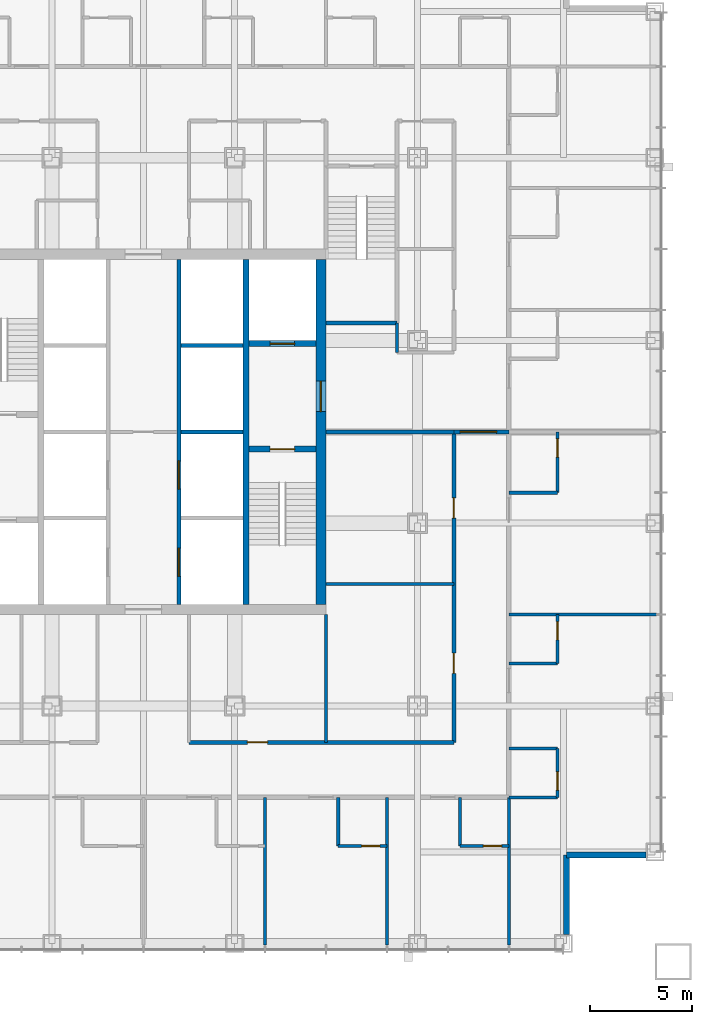
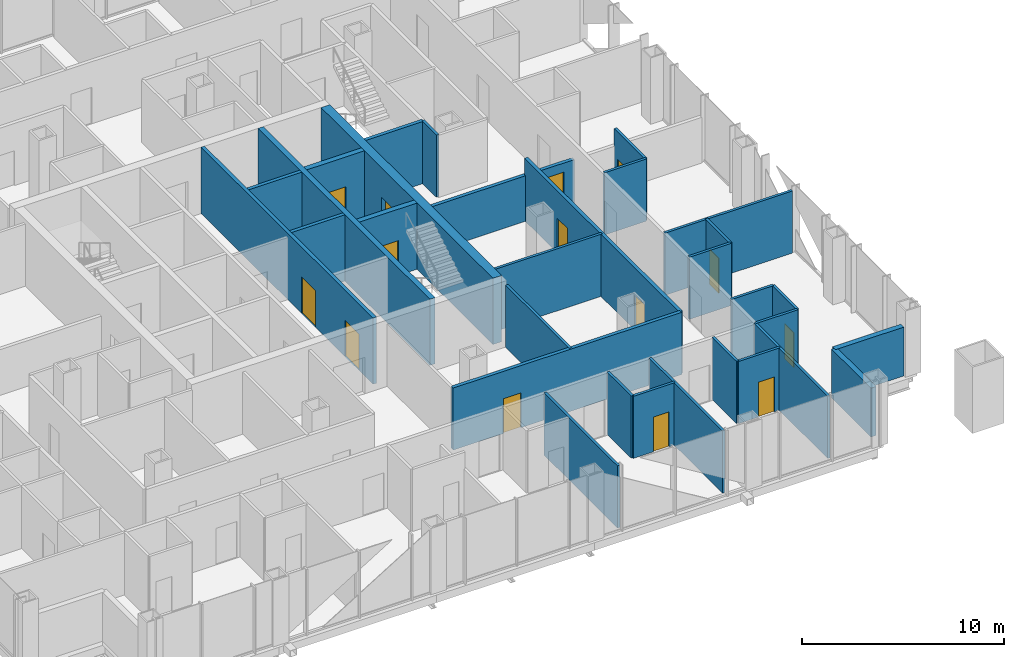
# One storey, part 9 of 14: 32 walls, 14 doors, 14 openings.
"""IFC4 building model written with IfcOpenShell, lengths in metres."""

from ifc_helpers import new_model, si_unit, direction, frame, frame_2d, origin, place, context, subcontext, project, spatial, rectangle, extrude, material, layer, layer_set, type_object, element, fill, save


model = new_model("IFC4")

# Units and contexts
model_context = context("Model", 3, precision=1e-05, world=origin(), true_north=direction((0.0, 1.0)))
body_context = subcontext(model_context, "Body", "Model", "MODEL_VIEW")
ifc_project = project(units=[si_unit("LENGTHUNIT", "METRE"), si_unit("AREAUNIT", "SQUARE_METRE"), si_unit("VOLUMEUNIT", "CUBIC_METRE"), si_unit("PLANEANGLEUNIT", "RADIAN"), si_unit("MASSUNIT", "GRAM", prefix="KILO")], contexts=[model_context])

# Site, building, storey
site_placement = place(None, origin())
site = spatial("IfcSite", under=ifc_project, at=site_placement, CompositionType="ELEMENT")
building_placement = place(site_placement, origin())
building = spatial("IfcBuilding", under=site, at=building_placement, Name="Malebo Sky Hospital", CompositionType="ELEMENT")
storey_placement = place(building_placement, frame((0.0, 0.0, 71.0)))
storey = spatial("IfcBuildingStorey", under=building, at=storey_placement, Name="L16", CompositionType="ELEMENT", Elevation=71.0)

# Wall, openings, doors
ifc_material_1 = material(Name="Concrete C80/95", Category="concrete")
ifc_layer_1 = layer(ifc_material_1, 0.199951171875)
ifc_layer_set_1 = layer_set([ifc_layer_1], Name="CORE INNER WALL 200")
wall_type_1 = type_object("IfcWallType", Name="CORE INNER WALL 200", PredefinedType="SHEAR", material=ifc_layer_set_1)
wall_1_placement = place(storey_placement, frame((61.75, 53.5, 0.0), z_axis=(0.0, 0.0, 1.0), x_axis=(0.0, 1.0, 0.0)))
wall_1 = element("IfcWall", 1, at=wall_1_placement, inside=storey, type_object=wall_type_1, Name="Core wall LE L16", PredefinedType="SHEAR", context=body_context, shape_type="SweptSolid", body=[
    extrude(rectangle(XDim=17.0, YDim=0.199951171875, at=frame_2d((8.5, 0.0))), origin(), (0.0, 0.0, 1.0), 4.0),
])
opening_1_placement = place(wall_1_placement, frame((1.375, 0.0, 0.0)))
opening_1 = element("IfcOpeningElement", 2, at=opening_1_placement, cuts=wall_1, Name="Opening LD1", PredefinedType="OPENING", context=body_context, shape_type="SweptSolid", body=[
    extrude(rectangle(XDim=1.39990234375, YDim=2.199951171875, at=frame_2d((0.699951171875, 1.10009765625))), frame((0.0, 0.10986328125, 0.0), z_axis=(0.0, -1.0, 0.0), x_axis=(1.0, 0.0, 0.0)), (0.0, 0.0, 1.0), 0.219970703125),
])
opening_2_placement = place(wall_1_placement, frame((5.675048828125, 0.0, 0.0)))
opening_2 = element("IfcOpeningElement", 3, at=opening_2_placement, cuts=wall_1, Name="Opening LD1", PredefinedType="OPENING", context=body_context, shape_type="SweptSolid", body=[
    extrude(rectangle(XDim=1.39990234375, YDim=2.199951171875, at=frame_2d((0.699951171875, 1.10009765625))), frame((0.0, 0.10986328125, 0.0), z_axis=(0.0, -1.0, 0.0), x_axis=(1.0, 0.0, 0.0)), (0.0, 0.0, 1.0), 0.219970703125),
])
ifc_material_2 = material(Name="Stainless steel sliding landing door", Category="steel")
door_type_1 = type_object("IfcDoorType", Name="LIFT LANDING DOOR 1400", OperationType="SLIDING_TO_LEFT", PredefinedType="DOOR", material=ifc_material_2)
door_1_placement = place(opening_1_placement, origin())
door_1 = element("IfcDoor", 4, at=door_1_placement, inside=storey, type_object=door_type_1, Name="Lift E1 landing door", OperationType="SLIDING_TO_LEFT", OverallHeight=2.199951171875, OverallWidth=1.39990234375, PredefinedType="DOOR", context=body_context, shape_type="SweptSolid", body=[
    extrude(rectangle(XDim=1.39990234375, YDim=2.199951171875, at=frame_2d((0.699951171875, 1.10009765625))), frame((0.0, 0.02490234375, 0.0), z_axis=(0.0, -1.0, 0.0), x_axis=(1.0, 0.0, 0.0)), (0.0, 0.0, 1.0), 0.050048828125),
])
fill(opening_1, door_1)
door_2_placement = place(opening_2_placement, origin())
door_2 = element("IfcDoor", 5, at=door_2_placement, inside=storey, type_object=door_type_1, Name="Lift E2 landing door", OperationType="SLIDING_TO_LEFT", OverallHeight=2.199951171875, OverallWidth=1.39990234375, PredefinedType="DOOR", context=body_context, shape_type="SweptSolid", body=[
    extrude(rectangle(XDim=1.39990234375, YDim=2.199951171875, at=frame_2d((0.699951171875, 1.10009765625))), frame((0.0, 0.02490234375, 0.0), z_axis=(0.0, -1.0, 0.0), x_axis=(1.0, 0.0, 0.0)), (0.0, 0.0, 1.0), 0.050048828125),
])
fill(opening_2, door_2)

# Walls
for number, where, z_axis, x_axis, name in (
    (6, (61.85009765625, 62.0, 0.0), (0.0, 0.0, 1.0), (1.0, 0.0, 0.0), "Core wall SE1 L16"),
    (7, (61.85009765625, 66.25, 0.0), (0.0, 0.0, 1.0), (1.0, 0.0, 0.0), "Core wall SE2 L16"),
):
    element("IfcWall", number, at=place(storey_placement, frame(where, z_axis=z_axis, x_axis=x_axis)), inside=storey, type_object=wall_type_1, Name=name, PredefinedType="SHEAR", context=body_context, shape_type="SweptSolid", body=[
        extrude(rectangle(XDim=3.0498046875, YDim=0.199951171875, at=frame_2d((1.52490234375, 0.0))), origin(), (0.0, 0.0, 1.0), 4.0),
    ])
ifc_layer_2 = layer(ifc_material_1, 0.300048828125)
ifc_layer_set_2 = layer_set([ifc_layer_2], Name="CORE INNER WALL 300")
wall_type_2 = type_object("IfcWallType", Name="CORE INNER WALL 300", PredefinedType="SHEAR", material=ifc_layer_set_2)
wall_2_placement = place(storey_placement, frame((65.050048828125, 53.5, 0.0), z_axis=(0.0, 0.0, 1.0), x_axis=(0.0, 1.0, 0.0)))
element("IfcWall", 8, at=wall_2_placement, inside=storey, type_object=wall_type_2, Name="Core wall XE L16", PredefinedType="SHEAR", context=body_context, shape_type="SweptSolid", body=[
    extrude(rectangle(XDim=17.0, YDim=0.300048828125, at=frame_2d((8.5, 0.0))), origin(), (0.0, 0.0, 1.0), 4.0),
])

# Wall, opening, door
wall_3_placement = place(storey_placement, frame((65.199951171875, 61.14990234375, 0.0), z_axis=(0.0, 0.0, 1.0), x_axis=(1.0, 0.0, 0.0)))
wall_3 = element("IfcWall", 9, at=wall_3_placement, inside=storey, type_object=wall_type_2, Name="Core wall E1 L16", PredefinedType="SHEAR", context=body_context, shape_type="SweptSolid", body=[
    extrude(rectangle(XDim=3.300048828125, YDim=0.300048828125, at=frame_2d((1.64990234375, 0.0))), origin(), (0.0, 0.0, 1.0), 4.0),
])
opening_3_placement = place(wall_3_placement, frame((1.050048828125, 0.0, 0.0)))
opening_3 = element("IfcOpeningElement", 10, at=opening_3_placement, cuts=wall_3, Name="Opening D08", PredefinedType="OPENING", context=body_context, shape_type="SweptSolid", body=[
    extrude(rectangle(XDim=1.199951171875, YDim=2.10009765625, at=frame_2d((0.60009765625, 1.050048828125))), frame((0.0, 0.159912109375, 0.0), z_axis=(0.0, -1.0, 0.0), x_axis=(1.0, 0.0, 0.0)), (0.0, 0.0, 1.0), 0.320068359375),
])
ifc_material_3 = material(Name="Hardwood-faced door leaf in steel frame", Category="steel")
door_type_2 = type_object("IfcDoorType", Name="STAIR DOOR 1200", OperationType="SINGLE_SWING_LEFT", PredefinedType="DOOR", material=ifc_material_3)
door_3_placement = place(opening_3_placement, origin())
door_3 = element("IfcDoor", 11, at=door_3_placement, inside=storey, type_object=door_type_2, Name="Stair S2 door", OperationType="SINGLE_SWING_LEFT", OverallHeight=2.10009765625, OverallWidth=1.199951171875, PredefinedType="DOOR", context=body_context, shape_type="SweptSolid", body=[
    extrude(rectangle(XDim=1.199951171875, YDim=2.10009765625, at=frame_2d((0.60009765625, 1.050048828125))), frame((0.0, 0.02490234375, 0.0), z_axis=(0.0, -1.0, 0.0), x_axis=(1.0, 0.0, 0.0)), (0.0, 0.0, 1.0), 0.050048828125),
])
fill(opening_3, door_3)

wall_4_placement = place(storey_placement, frame((65.199951171875, 66.35009765625, 0.0), z_axis=(0.0, 0.0, 1.0), x_axis=(1.0, 0.0, 0.0)))
wall_4 = element("IfcWall", 12, at=wall_4_placement, inside=storey, type_object=wall_type_2, Name="Core wall E2 L16", PredefinedType="SHEAR", context=body_context, shape_type="SweptSolid", body=[
    extrude(rectangle(XDim=3.300048828125, YDim=0.300048828125, at=frame_2d((1.64990234375, 0.0))), origin(), (0.0, 0.0, 1.0), 4.0),
])
opening_4_placement = place(wall_4_placement, frame((1.050048828125, 0.0, 0.0)))
opening_4 = element("IfcOpeningElement", 13, at=opening_4_placement, cuts=wall_4, Name="Opening LD2", PredefinedType="OPENING", context=body_context, shape_type="SweptSolid", body=[
    extrude(rectangle(XDim=1.199951171875, YDim=2.199951171875, at=frame_2d((0.60009765625, 1.10009765625))), frame((0.0, 0.159912109375, 0.0), z_axis=(0.0, -1.0, 0.0), x_axis=(1.0, 0.0, 0.0)), (0.0, 0.0, 1.0), 0.320068359375),
])
door_type_3 = type_object("IfcDoorType", Name="FIRE-FIGHTING LIFT LANDING DOOR 1200", OperationType="SLIDING_TO_LEFT", PredefinedType="DOOR", material=ifc_material_2)
door_4_placement = place(opening_4_placement, origin())
door_4 = element("IfcDoor", 14, at=door_4_placement, inside=storey, type_object=door_type_3, Name="Lift FL2 landing door", OperationType="SLIDING_TO_LEFT", OverallHeight=2.199951171875, OverallWidth=1.199951171875, PredefinedType="DOOR", context=body_context, shape_type="SweptSolid", body=[
    extrude(rectangle(XDim=1.199951171875, YDim=2.199951171875, at=frame_2d((0.60009765625, 1.10009765625))), frame((0.0, 0.02490234375, 0.0), z_axis=(0.0, -1.0, 0.0), x_axis=(1.0, 0.0, 0.0)), (0.0, 0.0, 1.0), 0.050048828125),
])
fill(opening_4, door_4)

ifc_layer_3 = layer(ifc_material_1, 0.5)
ifc_layer_set_3 = layer_set([ifc_layer_3], Name="CORE WALL 500")
wall_type_3 = type_object("IfcWallType", Name="CORE WALL 500", PredefinedType="SHEAR", material=ifc_layer_set_3)
wall_5_placement = place(storey_placement, frame((68.75, 53.5, 0.0), z_axis=(0.0, 0.0, 1.0), x_axis=(0.0, 1.0, 0.0)))
wall_5 = element("IfcWall", 15, at=wall_5_placement, inside=storey, type_object=wall_type_3, Name="Core wall E L16", PredefinedType="SHEAR", context=body_context, shape_type="SweptSolid", body=[
    extrude(rectangle(XDim=17.0, YDim=0.5, at=frame_2d((8.5, 0.0))), origin(), (0.0, 0.0, 1.0), 4.0),
])
opening_5_placement = place(wall_5_placement, frame((9.5, 0.0, 0.0)))
opening_5 = element("IfcOpeningElement", 16, at=opening_5_placement, cuts=wall_5, Name="Opening D07", PredefinedType="OPENING", context=body_context, shape_type="SweptSolid", body=[
    extrude(rectangle(XDim=1.5, YDim=2.199951171875, at=frame_2d((0.75, 1.10009765625))), frame((0.0, 0.260009765625, 0.0), z_axis=(0.0, -1.0, 0.0), x_axis=(1.0, 0.0, 0.0)), (0.0, 0.0, 1.0), 0.52001953125),
])
door_type_4 = type_object("IfcDoorType", Name="FIRE-FIGHTING LOBBY DOOR PAIR 1500", OperationType="DOUBLE_DOOR_SINGLE_SWING", PredefinedType="DOOR", material=ifc_material_3)
door_5_placement = place(opening_5_placement, origin())
door_5 = element("IfcDoor", 17, at=door_5_placement, inside=storey, type_object=door_type_4, Name="Fire-fighting lobby door east", OperationType="DOUBLE_DOOR_SINGLE_SWING", OverallHeight=2.199951171875, OverallWidth=1.5, PredefinedType="DOOR", context=body_context, shape_type="SweptSolid", body=[
    extrude(rectangle(XDim=1.5, YDim=2.199951171875, at=frame_2d((0.75, 1.10009765625))), frame((0.0, 0.02490234375, 0.0), z_axis=(0.0, -1.0, 0.0), x_axis=(1.0, 0.0, 0.0)), (0.0, 0.0, 1.0), 0.050048828125),
])
fill(opening_5, door_5)

ifc_material_4 = material(Name="Gypsum board on steel studs", Category="steel")
ifc_layer_4 = layer(ifc_material_4, 0.199951171875)
ifc_layer_set_4 = layer_set([ifc_layer_4], Name="CORRIDOR WALL 200")
wall_type_4 = type_object("IfcWallType", Name="CORRIDOR WALL 200", PredefinedType="PARTITIONING", material=ifc_layer_set_4)
wall_6_placement = place(storey_placement, frame((75.300048828125, 46.699951171875, 0.0), z_axis=(0.0, 0.0, 1.0), x_axis=(-1.0, 0.0, 0.0)))
wall_6 = element("IfcWall", 18, at=wall_6_placement, inside=storey, type_object=wall_type_4, Name="Corridor Wall 200 SCI1", PredefinedType="PARTITIONING", context=body_context, shape_type="SweptSolid", body=[
    extrude(rectangle(XDim=13.050048828125, YDim=0.199951171875, at=frame_2d((6.52490234375, 0.0))), origin(), (0.0, 0.0, 1.0), 3.75),
])
opening_6_placement = place(wall_6_placement, frame((9.175048828125, 0.0, 0.0)))
opening_6 = element("IfcOpeningElement", 19, at=opening_6_placement, cuts=wall_6, Name="Opening D03", PredefinedType="OPENING", context=body_context, shape_type="SweptSolid", body=[
    extrude(rectangle(XDim=1.0, YDim=2.10009765625, at=frame_2d((0.5, 1.050048828125))), frame((0.0, 0.10986328125, 0.0), z_axis=(0.0, -1.0, 0.0), x_axis=(1.0, 0.0, 0.0)), (0.0, 0.0, 1.0), 0.219970703125),
])
door_type_5 = type_object("IfcDoorType", Name="ROOM DOOR 1000", OperationType="SINGLE_SWING_LEFT", PredefinedType="DOOR", material=ifc_material_3)
door_6_placement = place(opening_6_placement, origin())
door_6 = element("IfcDoor", 20, at=door_6_placement, inside=storey, type_object=door_type_5, Name="Physiotherapy assessment room door", OperationType="SINGLE_SWING_LEFT", OverallHeight=2.10009765625, OverallWidth=1.0, PredefinedType="DOOR", context=body_context, shape_type="SweptSolid", body=[
    extrude(rectangle(XDim=1.0, YDim=2.10009765625, at=frame_2d((0.5, 1.050048828125))), frame((0.0, 0.02490234375, 0.0), z_axis=(0.0, -1.0, 0.0), x_axis=(1.0, 0.0, 0.0)), (0.0, 0.0, 1.0), 0.050048828125),
])
fill(opening_6, door_6)

# Wall, openings, doors
wall_7_placement = place(storey_placement, frame((75.300048828125, 62.0, 0.0), z_axis=(0.0, 0.0, 1.0), x_axis=(0.0, -1.0, 0.0)))
wall_7 = element("IfcWall", 21, at=wall_7_placement, inside=storey, type_object=wall_type_4, Name="Corridor Wall 200 ECI2", PredefinedType="PARTITIONING", context=body_context, shape_type="SweptSolid", body=[
    extrude(rectangle(XDim=15.300048828125, YDim=0.199951171875, at=frame_2d((7.64990234375, 0.0))), origin(), (0.0, 0.0, 1.0), 3.75),
])
opening_7_placement = place(wall_7_placement, frame((3.25, 0.0, 0.0)))
opening_7 = element("IfcOpeningElement", 22, at=opening_7_placement, cuts=wall_7, Name="Opening D03", PredefinedType="OPENING", context=body_context, shape_type="SweptSolid", body=[
    extrude(rectangle(XDim=1.0, YDim=2.10009765625, at=frame_2d((0.5, 1.050048828125))), frame((0.0, 0.10986328125, 0.0), z_axis=(0.0, -1.0, 0.0), x_axis=(1.0, 0.0, 0.0)), (0.0, 0.0, 1.0), 0.219970703125),
])
opening_8_placement = place(wall_7_placement, frame((10.89990234375, 0.0, 0.0)))
opening_8 = element("IfcOpeningElement", 23, at=opening_8_placement, cuts=wall_7, Name="Opening D03", PredefinedType="OPENING", context=body_context, shape_type="SweptSolid", body=[
    extrude(rectangle(XDim=1.0, YDim=2.10009765625, at=frame_2d((0.5, 1.050048828125))), frame((0.0, 0.10986328125, 0.0), z_axis=(0.0, -1.0, 0.0), x_axis=(1.0, 0.0, 0.0)), (0.0, 0.0, 1.0), 0.219970703125),
])
door_7_placement = place(opening_7_placement, origin())
door_7 = element("IfcDoor", 24, at=door_7_placement, inside=storey, type_object=door_type_5, Name="Treatment room door", OperationType="SINGLE_SWING_LEFT", OverallHeight=2.10009765625, OverallWidth=1.0, PredefinedType="DOOR", context=body_context, shape_type="SweptSolid", body=[
    extrude(rectangle(XDim=1.0, YDim=2.10009765625, at=frame_2d((0.5, 1.050048828125))), frame((0.0, 0.02490234375, 0.0), z_axis=(0.0, -1.0, 0.0), x_axis=(1.0, 0.0, 0.0)), (0.0, 0.0, 1.0), 0.050048828125),
])
fill(opening_7, door_7)
door_8_placement = place(opening_8_placement, origin())
door_8 = element("IfcDoor", 25, at=door_8_placement, inside=storey, type_object=door_type_5, Name="Nurse station door", OperationType="SINGLE_SWING_RIGHT", OverallHeight=2.10009765625, OverallWidth=1.0, PredefinedType="DOOR", context=body_context, shape_type="SweptSolid", body=[
    extrude(rectangle(XDim=1.0, YDim=2.10009765625, at=frame_2d((0.5, 1.050048828125))), frame((0.0, 0.02490234375, 0.0), z_axis=(0.0, -1.0, 0.0), x_axis=(1.0, 0.0, 0.0)), (0.0, 0.0, 1.0), 0.050048828125),
])
fill(opening_8, door_8)

# Walls
ifc_material_5 = material(Name="Anodised aluminium rainscreen on steel framing", Category="steel")
ifc_layer_5 = layer(ifc_material_5, 0.300048828125)
ifc_layer_set_5 = layer_set([ifc_layer_5], Name="NOTCH RAINSCREEN WALL 300")
wall_type_5 = type_object("IfcWallType", Name="NOTCH RAINSCREEN WALL 300", PredefinedType="ELEMENTEDWALL", material=ifc_layer_set_5)
for number, where, z_axis, x_axis, name in (
    (26, (84.75, 41.14990234375, 0.0), (0.0, 0.0, 1.0), (-1.0, 0.0, 0.0), "Notch rainscreen wall E1 L16"),
    (27, (80.85009765625, 41.14990234375, 0.0), (0.0, 0.0, 1.0), (0.0, -1.0, 0.0), "Notch rainscreen wall E2 L16"),
):
    element("IfcWall", number, at=place(storey_placement, frame(where, z_axis=z_axis, x_axis=x_axis)), inside=storey, type_object=wall_type_5, Name=name, PredefinedType="ELEMENTEDWALL", context=body_context, shape_type="SweptSolid", body=[
        extrude(rectangle(XDim=3.89990234375, YDim=0.300048828125, at=frame_2d((1.949951171875, 0.0))), origin(), (0.0, 0.0, 1.0), 2.949951171875),
    ])
ifc_layer_6 = layer(ifc_material_4, 0.14990234375)
ifc_layer_set_6 = layer_set([ifc_layer_6], Name="PARTITION 150")
wall_type_6 = type_object("IfcWallType", Name="PARTITION 150", PredefinedType="PARTITIONING", material=ifc_layer_set_6)
for number, where, z_axis, x_axis, name in (
    (28, (72.0, 44.0, 0.0), (0.0, 0.0, 1.0), (0.0, -1.0, 0.0), "Partition 150 SP-12.0"),
    (29, (66.0, 44.0, 0.0), (0.0, 0.0, 1.0), (0.0, -1.0, 0.0), "Partition 150 SP-6.0"),
    (30, (78.0, 44.0, 0.0), (0.0, 0.0, 1.0), (0.0, -1.0, 0.0), "Partition 150 SP0"),
):
    element("IfcWall", number, at=place(storey_placement, frame(where, z_axis=z_axis, x_axis=x_axis)), inside=storey, type_object=wall_type_6, Name=name, PredefinedType="PARTITIONING", context=body_context, shape_type="SweptSolid", body=[
        extrude(rectangle(XDim=7.27490234375, YDim=0.14990234375, at=frame_2d((3.637451171875, 0.0))), origin(), (0.0, 0.0, 1.0), 3.75),
    ])

# Wall, opening, door
wall_8_placement = place(storey_placement, frame((78.0, 41.60009765625, 0.0), z_axis=(0.0, 0.0, 1.0), x_axis=(-1.0, 0.0, 0.0)))
wall_8 = element("IfcWall", 31, at=wall_8_placement, inside=storey, type_object=wall_type_6, Name="Partition 150 SE0F", PredefinedType="PARTITIONING", context=body_context, shape_type="SweptSolid", body=[
    extrude(rectangle(XDim=2.39990234375, YDim=0.14990234375, at=frame_2d((1.199951171875, 0.0))), origin(), (0.0, 0.0, 1.0), 3.75),
])
opening_9_placement = place(wall_8_placement, frame((0.35009765625, 0.0, 0.0)))
opening_9 = element("IfcOpeningElement", 32, at=opening_9_placement, cuts=wall_8, Name="Opening D02", PredefinedType="OPENING", context=body_context, shape_type="SweptSolid", body=[
    extrude(rectangle(XDim=0.89990234375, YDim=2.10009765625, at=frame_2d((0.449951171875, 1.050048828125))), frame((0.0, 0.0849609375, 0.0), z_axis=(0.0, -1.0, 0.0), x_axis=(1.0, 0.0, 0.0)), (0.0, 0.0, 1.0), 0.169921875),
])
door_type_6 = type_object("IfcDoorType", Name="EN-SUITE DOOR 900", OperationType="SINGLE_SWING_LEFT", PredefinedType="DOOR", material=ifc_material_3)
door_9_placement = place(opening_9_placement, origin())
door_9 = element("IfcDoor", 33, at=door_9_placement, inside=storey, type_object=door_type_6, Name="En-suite door", OperationType="SINGLE_SWING_LEFT", OverallHeight=2.10009765625, OverallWidth=0.89990234375, PredefinedType="DOOR", context=body_context, shape_type="SweptSolid", body=[
    extrude(rectangle(XDim=0.89990234375, YDim=2.10009765625, at=frame_2d((0.449951171875, 1.050048828125))), frame((0.0, 0.02490234375, 0.0), z_axis=(0.0, -1.0, 0.0), x_axis=(1.0, 0.0, 0.0)), (0.0, 0.0, 1.0), 0.050048828125),
])
fill(opening_9, door_9)

# Wall
wall_9_placement = place(storey_placement, frame((75.60009765625, 44.0, 0.0), z_axis=(0.0, 0.0, 1.0), x_axis=(0.0, -1.0, 0.0)))
element("IfcWall", 34, at=wall_9_placement, inside=storey, type_object=wall_type_6, Name="Partition 150 SE0S", PredefinedType="PARTITIONING", context=body_context, shape_type="SweptSolid", body=[
    extrude(rectangle(XDim=2.39990234375, YDim=0.14990234375, at=frame_2d((1.199951171875, 0.0))), origin(), (0.0, 0.0, 1.0), 3.75),
])

# Wall, opening, door
wall_10_placement = place(storey_placement, frame((72.0, 41.60009765625, 0.0), z_axis=(0.0, 0.0, 1.0), x_axis=(-1.0, 0.0, 0.0)))
wall_10 = element("IfcWall", 35, at=wall_10_placement, inside=storey, type_object=wall_type_6, Name="Partition 150 SE1F", PredefinedType="PARTITIONING", context=body_context, shape_type="SweptSolid", body=[
    extrude(rectangle(XDim=2.39990234375, YDim=0.14990234375, at=frame_2d((1.199951171875, 0.0))), origin(), (0.0, 0.0, 1.0), 3.75),
])
opening_10_placement = place(wall_10_placement, frame((0.35009765625, 0.0, 0.0)))
opening_10 = element("IfcOpeningElement", 36, at=opening_10_placement, cuts=wall_10, Name="Opening D02", PredefinedType="OPENING", context=body_context, shape_type="SweptSolid", body=[
    extrude(rectangle(XDim=0.89990234375, YDim=2.10009765625, at=frame_2d((0.449951171875, 1.050048828125))), frame((0.0, 0.0849609375, 0.0), z_axis=(0.0, -1.0, 0.0), x_axis=(1.0, 0.0, 0.0)), (0.0, 0.0, 1.0), 0.169921875),
])
door_10_placement = place(opening_10_placement, origin())
door_10 = element("IfcDoor", 37, at=door_10_placement, inside=storey, type_object=door_type_6, Name="En-suite door", OperationType="SINGLE_SWING_LEFT", OverallHeight=2.10009765625, OverallWidth=0.89990234375, PredefinedType="DOOR", context=body_context, shape_type="SweptSolid", body=[
    extrude(rectangle(XDim=0.89990234375, YDim=2.10009765625, at=frame_2d((0.449951171875, 1.050048828125))), frame((0.0, 0.02490234375, 0.0), z_axis=(0.0, -1.0, 0.0), x_axis=(1.0, 0.0, 0.0)), (0.0, 0.0, 1.0), 0.050048828125),
])
fill(opening_10, door_10)

# Walls
wall_11_placement = place(storey_placement, frame((69.60009765625, 44.0, 0.0), z_axis=(0.0, 0.0, 1.0), x_axis=(0.0, -1.0, 0.0)))
element("IfcWall", 38, at=wall_11_placement, inside=storey, type_object=wall_type_6, Name="Partition 150 SE1S", PredefinedType="PARTITIONING", context=body_context, shape_type="SweptSolid", body=[
    extrude(rectangle(XDim=2.39990234375, YDim=0.14990234375, at=frame_2d((1.199951171875, 0.0))), origin(), (0.0, 0.0, 1.0), 3.75),
])
wall_12_placement = place(storey_placement, frame((69.0, 53.0, 0.0), z_axis=(0.0, 0.0, 1.0), x_axis=(0.0, -1.0, 0.0)))
element("IfcWall", 39, at=wall_12_placement, inside=storey, type_object=wall_type_6, Name="Partition 150 SSP0", PredefinedType="PARTITIONING", context=body_context, shape_type="SweptSolid", body=[
    extrude(rectangle(XDim=6.300048828125, YDim=0.14990234375, at=frame_2d((3.14990234375, 0.0))), origin(), (0.0, 0.0, 1.0), 3.75),
])
wall_13_placement = place(storey_placement, frame((78.0, 53.0, 0.0), z_axis=(0.0, 0.0, 1.0), x_axis=(1.0, 0.0, 0.0)))
element("IfcWall", 40, at=wall_13_placement, inside=storey, type_object=wall_type_6, Name="Partition 150 EP+9.0", PredefinedType="PARTITIONING", context=body_context, shape_type="SweptSolid", body=[
    extrude(rectangle(XDim=7.27490234375, YDim=0.14990234375, at=frame_2d((3.637451171875, 0.0))), origin(), (0.0, 0.0, 1.0), 3.75),
])

# Wall, opening, door
wall_14_placement = place(storey_placement, frame((80.39990234375, 62.0, 0.0), z_axis=(0.0, 0.0, 1.0), x_axis=(0.0, -1.0, 0.0)))
wall_14 = element("IfcWall", 41, at=wall_14_placement, inside=storey, type_object=wall_type_6, Name="Partition 150 EE3F", PredefinedType="PARTITIONING", context=body_context, shape_type="SweptSolid", body=[
    extrude(rectangle(XDim=3.0, YDim=0.14990234375, at=frame_2d((1.5, 0.0))), origin(), (0.0, 0.0, 1.0), 3.75),
])
opening_11_placement = place(wall_14_placement, frame((0.35009765625, 0.0, 0.0)))
opening_11 = element("IfcOpeningElement", 42, at=opening_11_placement, cuts=wall_14, Name="Opening D02", PredefinedType="OPENING", context=body_context, shape_type="SweptSolid", body=[
    extrude(rectangle(XDim=0.89990234375, YDim=2.10009765625, at=frame_2d((0.449951171875, 1.050048828125))), frame((0.0, 0.0849609375, 0.0), z_axis=(0.0, -1.0, 0.0), x_axis=(1.0, 0.0, 0.0)), (0.0, 0.0, 1.0), 0.169921875),
])
door_11_placement = place(opening_11_placement, origin())
door_11 = element("IfcDoor", 43, at=door_11_placement, inside=storey, type_object=door_type_6, Name="En-suite door", OperationType="SINGLE_SWING_LEFT", OverallHeight=2.10009765625, OverallWidth=0.89990234375, PredefinedType="DOOR", context=body_context, shape_type="SweptSolid", body=[
    extrude(rectangle(XDim=0.89990234375, YDim=2.10009765625, at=frame_2d((0.449951171875, 1.050048828125))), frame((0.0, 0.02490234375, 0.0), z_axis=(0.0, -1.0, 0.0), x_axis=(1.0, 0.0, 0.0)), (0.0, 0.0, 1.0), 0.050048828125),
])
fill(opening_11, door_11)

# Wall
wall_15_placement = place(storey_placement, frame((78.0, 59.0, 0.0), z_axis=(0.0, 0.0, 1.0), x_axis=(1.0, 0.0, 0.0)))
element("IfcWall", 44, at=wall_15_placement, inside=storey, type_object=wall_type_6, Name="Partition 150 EE3S", PredefinedType="PARTITIONING", context=body_context, shape_type="SweptSolid", body=[
    extrude(rectangle(XDim=2.39990234375, YDim=0.14990234375, at=frame_2d((1.199951171875, 0.0))), origin(), (0.0, 0.0, 1.0), 3.75),
])

# Wall, opening, door
wall_16_placement = place(storey_placement, frame((80.39990234375, 53.0, 0.0), z_axis=(0.0, 0.0, 1.0), x_axis=(0.0, -1.0, 0.0)))
wall_16 = element("IfcWall", 45, at=wall_16_placement, inside=storey, type_object=wall_type_6, Name="Partition 150 EE4F", PredefinedType="PARTITIONING", context=body_context, shape_type="SweptSolid", body=[
    extrude(rectangle(XDim=2.39990234375, YDim=0.14990234375, at=frame_2d((1.199951171875, 0.0))), origin(), (0.0, 0.0, 1.0), 3.75),
])
opening_12_placement = place(wall_16_placement, frame((0.35009765625, 0.0, 0.0)))
opening_12 = element("IfcOpeningElement", 46, at=opening_12_placement, cuts=wall_16, Name="Opening D02", PredefinedType="OPENING", context=body_context, shape_type="SweptSolid", body=[
    extrude(rectangle(XDim=0.89990234375, YDim=2.10009765625, at=frame_2d((0.449951171875, 1.050048828125))), frame((0.0, 0.0849609375, 0.0), z_axis=(0.0, -1.0, 0.0), x_axis=(1.0, 0.0, 0.0)), (0.0, 0.0, 1.0), 0.169921875),
])
door_12_placement = place(opening_12_placement, origin())
door_12 = element("IfcDoor", 47, at=door_12_placement, inside=storey, type_object=door_type_6, Name="En-suite door", OperationType="SINGLE_SWING_LEFT", OverallHeight=2.10009765625, OverallWidth=0.89990234375, PredefinedType="DOOR", context=body_context, shape_type="SweptSolid", body=[
    extrude(rectangle(XDim=0.89990234375, YDim=2.10009765625, at=frame_2d((0.449951171875, 1.050048828125))), frame((0.0, 0.02490234375, 0.0), z_axis=(0.0, -1.0, 0.0), x_axis=(1.0, 0.0, 0.0)), (0.0, 0.0, 1.0), 0.050048828125),
])
fill(opening_12, door_12)

# Wall
wall_17_placement = place(storey_placement, frame((78.0, 50.60009765625, 0.0), z_axis=(0.0, 0.0, 1.0), x_axis=(1.0, 0.0, 0.0)))
element("IfcWall", 48, at=wall_17_placement, inside=storey, type_object=wall_type_6, Name="Partition 150 EE4S", PredefinedType="PARTITIONING", context=body_context, shape_type="SweptSolid", body=[
    extrude(rectangle(XDim=2.39990234375, YDim=0.14990234375, at=frame_2d((1.199951171875, 0.0))), origin(), (0.0, 0.0, 1.0), 3.75),
])

# Wall, opening, door
wall_18_placement = place(storey_placement, frame((80.39990234375, 46.39990234375, 0.0), z_axis=(0.0, 0.0, 1.0), x_axis=(0.0, -1.0, 0.0)))
wall_18 = element("IfcWall", 49, at=wall_18_placement, inside=storey, type_object=wall_type_6, Name="Partition 150 EG4F", PredefinedType="PARTITIONING", context=body_context, shape_type="SweptSolid", body=[
    extrude(rectangle(XDim=2.39990234375, YDim=0.14990234375, at=frame_2d((1.199951171875, 0.0))), origin(), (0.0, 0.0, 1.0), 3.75),
])
opening_13_placement = place(wall_18_placement, frame((1.14990234375, 0.0, 0.0)))
opening_13 = element("IfcOpeningElement", 50, at=opening_13_placement, cuts=wall_18, Name="Opening D02", PredefinedType="OPENING", context=body_context, shape_type="SweptSolid", body=[
    extrude(rectangle(XDim=0.89990234375, YDim=2.10009765625, at=frame_2d((0.449951171875, 1.050048828125))), frame((0.0, 0.0849609375, 0.0), z_axis=(0.0, -1.0, 0.0), x_axis=(1.0, 0.0, 0.0)), (0.0, 0.0, 1.0), 0.169921875),
])
door_13_placement = place(opening_13_placement, origin())
door_13 = element("IfcDoor", 51, at=door_13_placement, inside=storey, type_object=door_type_6, Name="En-suite door", OperationType="SINGLE_SWING_RIGHT", OverallHeight=2.10009765625, OverallWidth=0.89990234375, PredefinedType="DOOR", context=body_context, shape_type="SweptSolid", body=[
    extrude(rectangle(XDim=0.89990234375, YDim=2.10009765625, at=frame_2d((0.449951171875, 1.050048828125))), frame((0.0, 0.02490234375, 0.0), z_axis=(0.0, -1.0, 0.0), x_axis=(1.0, 0.0, 0.0)), (0.0, 0.0, 1.0), 0.050048828125),
])
fill(opening_13, door_13)

# Walls
for number, where, z_axis, x_axis, name in (
    (52, (78.0, 46.39990234375, 0.0), (0.0, 0.0, 1.0), (1.0, 0.0, 0.0), "Partition 150 EG4S"),
    (53, (78.0, 44.0, 0.0), (0.0, 0.0, 1.0), (1.0, 0.0, 0.0), "Partition 150 EEZ"),
):
    element("IfcWall", number, at=place(storey_placement, frame(where, z_axis=z_axis, x_axis=x_axis)), inside=storey, type_object=wall_type_6, Name=name, PredefinedType="PARTITIONING", context=body_context, shape_type="SweptSolid", body=[
        extrude(rectangle(XDim=2.39990234375, YDim=0.14990234375, at=frame_2d((1.199951171875, 0.0))), origin(), (0.0, 0.0, 1.0), 3.75),
    ])
wall_19_placement = place(storey_placement, frame((69.0, 54.5, 0.0), z_axis=(0.0, 0.0, 1.0), x_axis=(1.0, 0.0, 0.0)))
element("IfcWall", 54, at=wall_19_placement, inside=storey, type_object=wall_type_6, Name="Partition 150 ESP+7.5", PredefinedType="PARTITIONING", context=body_context, shape_type="SweptSolid", body=[
    extrude(rectangle(XDim=6.300048828125, YDim=0.14990234375, at=frame_2d((3.14990234375, 0.0))), origin(), (0.0, 0.0, 1.0), 3.75),
])
wall_20_placement = place(storey_placement, frame((72.5, 65.89990234375, 0.0), z_axis=(0.0, 0.0, 1.0), x_axis=(0.0, 1.0, 0.0)))
element("IfcWall", 55, at=wall_20_placement, inside=storey, type_object=wall_type_6, Name="Partition 150 ST3C", PredefinedType="PARTITIONING", context=body_context, shape_type="SweptSolid", body=[
    extrude(rectangle(XDim=1.4501953125, YDim=0.14990234375, at=frame_2d((0.72509765625, 0.0))), origin(), (0.0, 0.0, 1.0), 3.75),
])
ifc_material_6 = material(Name="Concrete blockwork", Category="masonry")
ifc_layer_7 = layer(ifc_material_6, 0.199951171875)
ifc_layer_set_7 = layer_set([ifc_layer_7], Name="SMOKE BARRIER WALL 200")
wall_type_7 = type_object("IfcWallType", Name="SMOKE BARRIER WALL 200", PredefinedType="SOLIDWALL", material=ifc_layer_set_7)
wall_21_placement = place(storey_placement, frame((69.0, 62.0, 0.0), z_axis=(0.0, 0.0, 1.0), x_axis=(1.0, 0.0, 0.0)))
element("IfcWall", 56, at=wall_21_placement, inside=storey, type_object=wall_type_7, Name="Smoke Barrier Wall 200 ESPB", PredefinedType="SOLIDWALL", context=body_context, shape_type="SweptSolid", body=[
    extrude(rectangle(XDim=6.300048828125, YDim=0.199951171875, at=frame_2d((3.14990234375, 0.0))), origin(), (0.0, 0.0, 1.0), 2.75),
])

# Wall, opening, door
wall_22_placement = place(storey_placement, frame((75.300048828125, 62.0, 0.0), z_axis=(0.0, 0.0, 1.0), x_axis=(1.0, 0.0, 0.0)))
wall_22 = element("IfcWall", 57, at=wall_22_placement, inside=storey, type_object=wall_type_7, Name="Smoke Barrier Wall 200 ESB", PredefinedType="SOLIDWALL", context=body_context, shape_type="SweptSolid", body=[
    extrude(rectangle(XDim=2.699951171875, YDim=0.199951171875, at=frame_2d((1.35009765625, 0.0))), origin(), (0.0, 0.0, 1.0), 2.75),
])
opening_14_placement = place(wall_22_placement, frame((0.300048828125, 0.0, 0.0)))
opening_14 = element("IfcOpeningElement", 58, at=opening_14_placement, cuts=wall_22, Name="Opening D05", PredefinedType="OPENING", context=body_context, shape_type="SweptSolid", body=[
    extrude(rectangle(XDim=1.800048828125, YDim=2.199951171875, at=frame_2d((0.89990234375, 1.10009765625))), frame((0.0, 0.10986328125, 0.0), z_axis=(0.0, -1.0, 0.0), x_axis=(1.0, 0.0, 0.0)), (0.0, 0.0, 1.0), 0.219970703125),
])
door_type_7 = type_object("IfcDoorType", Name="SMOKE DOOR PAIR 1800", OperationType="DOUBLE_DOOR_DOUBLE_SWING", PredefinedType="DOOR", material=ifc_material_3)
door_14_placement = place(opening_14_placement, origin())
door_14 = element("IfcDoor", 59, at=door_14_placement, inside=storey, type_object=door_type_7, Name="Smoke compartment door pair", OperationType="DOUBLE_DOOR_DOUBLE_SWING", OverallHeight=2.199951171875, OverallWidth=1.800048828125, PredefinedType="DOOR", context=body_context, shape_type="SweptSolid", body=[
    extrude(rectangle(XDim=1.800048828125, YDim=2.199951171875, at=frame_2d((0.89990234375, 1.10009765625))), frame((0.0, 0.02490234375, 0.0), z_axis=(0.0, -1.0, 0.0), x_axis=(1.0, 0.0, 0.0)), (0.0, 0.0, 1.0), 0.050048828125),
])
fill(opening_14, door_14)

# Wall
ifc_material_7 = material(Name="Concrete C40/50", Category="concrete")
ifc_layer_8 = layer(ifc_material_7, 0.199951171875)
ifc_layer_set_8 = layer_set([ifc_layer_8], Name="STAIR ENCLOSURE WALL 200")
wall_type_8 = type_object("IfcWallType", Name="STAIR ENCLOSURE WALL 200", PredefinedType="SOLIDWALL", material=ifc_layer_set_8)
wall_23_placement = place(storey_placement, frame((69.0, 67.35009765625, 0.0), z_axis=(0.0, 0.0, 1.0), x_axis=(1.0, 0.0, 0.0)))
element("IfcWall", 60, at=wall_23_placement, inside=storey, type_object=wall_type_8, Name="Stair Enclosure Wall 200 ST3S", PredefinedType="SOLIDWALL", context=body_context, shape_type="SweptSolid", body=[
    extrude(rectangle(XDim=3.5, YDim=0.199951171875, at=frame_2d((1.75, 0.0))), origin(), (0.0, 0.0, 1.0), 3.75),
])

save(model, "model.ifc")
